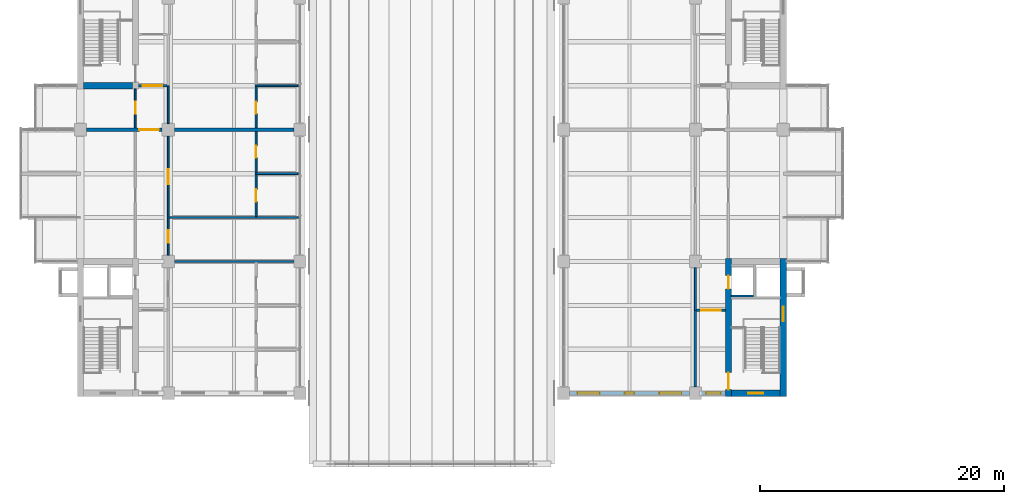
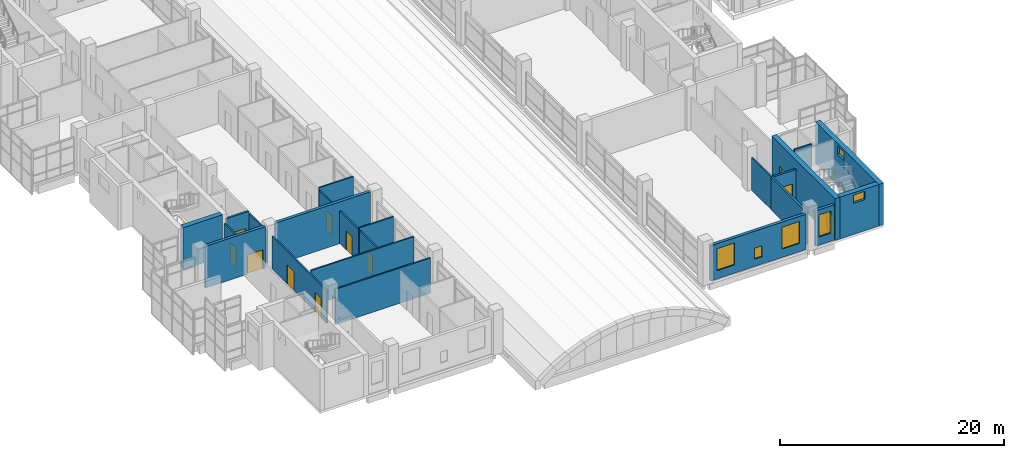
# One storey, part 31 of 45: 23 walls, 11 doors, 6 windows, 17 openings.
"""IFC4 building model written with IfcOpenShell, lengths in metres."""

from ifc_helpers import new_model, si_unit, direction, frame, frame_2d, origin, place, context, subcontext, project, spatial, rectangle, extrude, material, layer, layer_set, type_object, element, fill, save


model = new_model("IFC4")

# Units and contexts
model_context = context("Model", 3, precision=1e-05, world=origin(), true_north=direction((0.0, 1.0)))
body_context = subcontext(model_context, "Body", "Model", "MODEL_VIEW")
ifc_project = project(units=[si_unit("LENGTHUNIT", "METRE"), si_unit("AREAUNIT", "SQUARE_METRE"), si_unit("VOLUMEUNIT", "CUBIC_METRE"), si_unit("PLANEANGLEUNIT", "RADIAN"), si_unit("MASSUNIT", "GRAM", prefix="KILO")], contexts=[model_context])

# Site, building, storey
site_placement = place(None, origin())
site = spatial("IfcSite", under=ifc_project, at=site_placement, CompositionType="ELEMENT")
building_placement = place(site_placement, origin())
building = spatial("IfcBuilding", under=site, at=building_placement, Name="Basin Gate Institute", CompositionType="ELEMENT")
storey_placement = place(building_placement, frame((0.0, 0.0, 22.199951171875)))
storey = spatial("IfcBuildingStorey", under=building, at=storey_placement, Name="L04", CompositionType="ELEMENT", Elevation=22.199951171875)

# Wall, opening, door
ifc_material_1 = material(Name="Fire-rated masonry", Category="masonry")
ifc_layer_1 = layer(ifc_material_1, 0.199951171875)
ifc_layer_set_1 = layer_set([ifc_layer_1], Name="Enclosure wall PW2 200 EI 60")
wall_type_1 = type_object("IfcWallType", Name="Enclosure wall PW2 200 EI 60", PredefinedType="PARTITIONING", material=ifc_layer_set_1)
wall_1_placement = place(storey_placement, frame((65.949951171875, 60.300048828125, 0.0), z_axis=(0.0, 0.0, 1.0), x_axis=(1.0, 0.0, 0.0)))
wall_1 = element("IfcWall", 1, at=wall_1_placement, inside=storey, type_object=wall_type_1, material=ifc_layer_set_1, Name="Smoke lobby enclosure wall PW2 L04", PredefinedType="PARTITIONING", context=body_context, shape_type="SweptSolid", body=[
    extrude(rectangle(XDim=2.35009765625, YDim=0.199951171875, at=frame_2d((1.175048828125, 0.0))), origin(), (0.0, 0.0, 1.0), 3.85009765625),
])
opening_1_placement = place(wall_1_placement, frame((0.375, 0.0, 0.0)))
opening_1 = element("IfcOpeningElement", 2, at=opening_1_placement, cuts=wall_1, Name="Opening DR240", PredefinedType="OPENING", context=body_context, shape_type="SweptSolid", body=[
    extrude(rectangle(XDim=1.60009765625, YDim=2.10009765625, at=frame_2d((0.800048828125, 1.050048828125))), frame((0.0, 0.10986328125, 0.0), z_axis=(0.0, -1.0, 0.0), x_axis=(1.0, 0.0, 0.0)), (0.0, 0.0, 1.0), 0.219970703125),
])
ifc_material_2 = material(Name="Steel fire door", Category="steel")
door_type_1 = type_object("IfcDoorType", Name="FD60 Smoke lobby door pair D8", OperationType="DOUBLE_DOOR_SINGLE_SWING", PredefinedType="DOOR", material=ifc_material_2)
door_1_placement = place(opening_1_placement, origin())
door_1 = element("IfcDoor", 3, at=door_1_placement, inside=storey, type_object=door_type_1, material=ifc_material_2, Name="Smoke lobby door SS2 L04", OperationType="DOUBLE_DOOR_SINGLE_SWING", OverallHeight=2.10009765625, OverallWidth=1.60009765625, PredefinedType="DOOR", context=body_context, shape_type="SweptSolid", body=[
    extrude(rectangle(XDim=1.60009765625, YDim=2.10009765625, at=frame_2d((0.800048828125, 1.050048828125))), frame((0.0, 0.02490234375, 0.0), z_axis=(0.0, -1.0, 0.0), x_axis=(1.0, 0.0, 0.0)), (0.0, 0.0, 1.0), 0.050048828125),
])
fill(opening_1, door_1)

wall_2_placement = place(storey_placement, frame((114.050048828125, 41.89990234375, 0.0), z_axis=(0.0, 0.0, 1.0), x_axis=(-1.0, 0.0, 0.0)))
wall_2 = element("IfcWall", 4, at=wall_2_placement, inside=storey, type_object=wall_type_1, material=ifc_layer_set_1, Name="Smoke lobby enclosure wall PW2 L04", PredefinedType="PARTITIONING", context=body_context, shape_type="SweptSolid", body=[
    extrude(rectangle(XDim=2.35009765625, YDim=0.199951171875, at=frame_2d((1.175048828125, 0.0))), origin(), (0.0, 0.0, 1.0), 3.550048828125),
])
opening_2_placement = place(wall_2_placement, frame((0.375, 0.0, 0.0)))
opening_2 = element("IfcOpeningElement", 5, at=opening_2_placement, cuts=wall_2, Name="Opening DR206", PredefinedType="OPENING", context=body_context, shape_type="SweptSolid", body=[
    extrude(rectangle(XDim=1.60009765625, YDim=2.10009765625, at=frame_2d((0.800048828125, 1.050048828125))), frame((0.0, 0.10986328125, 0.0), z_axis=(0.0, -1.0, 0.0), x_axis=(1.0, 0.0, 0.0)), (0.0, 0.0, 1.0), 0.219970703125),
])
door_2_placement = place(opening_2_placement, origin())
door_2 = element("IfcDoor", 6, at=door_2_placement, inside=storey, type_object=door_type_1, material=ifc_material_2, Name="Smoke lobby door SS4 L04", OperationType="DOUBLE_DOOR_SINGLE_SWING", OverallHeight=2.10009765625, OverallWidth=1.60009765625, PredefinedType="DOOR", context=body_context, shape_type="SweptSolid", body=[
    extrude(rectangle(XDim=1.60009765625, YDim=2.10009765625, at=frame_2d((0.800048828125, 1.050048828125))), frame((0.0, 0.02490234375, 0.0), z_axis=(0.0, -1.0, 0.0), x_axis=(1.0, 0.0, 0.0)), (0.0, 0.0, 1.0), 0.050048828125),
])
fill(opening_2, door_2)

# Wall
wall_3_placement = place(storey_placement, frame((111.60009765625, 35.60009765625, 0.0), z_axis=(0.0, 0.0, 1.0), x_axis=(0.0, 1.0, 0.0)))
element("IfcWall", 7, at=wall_3_placement, inside=storey, type_object=wall_type_1, material=ifc_layer_set_1, Name="Smoke lobby enclosure wall PW2 L04", PredefinedType="PARTITIONING", context=body_context, shape_type="SweptSolid", body=[
    extrude(rectangle(XDim=6.2998046875, YDim=0.199951171875, at=frame_2d((3.14990234375, 0.0))), origin(), (0.0, 0.0, 1.0), 3.550048828125),
])

# Wall, opening, window
ifc_material_3 = material(Name="Aluminium-faced insulated panel wall", Category="aluminium")
ifc_layer_2 = layer(ifc_material_3, 0.300048828125)
ifc_layer_set_2 = layer_set([ifc_layer_2], Name="External wall EW1 EI 120")
wall_type_2 = type_object("IfcWallType", Name="External wall EW1 EI 120", PredefinedType="STANDARD", material=ifc_layer_set_2)
wall_4_placement = place(storey_placement, frame((114.050048828125, 35.10009765625, 0.0), z_axis=(0.0, 0.0, 1.0), x_axis=(-1.0, 0.0, 0.0)))
wall_4 = element("IfcWall", 8, at=wall_4_placement, inside=storey, type_object=wall_type_2, material=ifc_layer_set_2, Name="External end wall E wing south L04 1", PredefinedType="STANDARD", context=body_context, shape_type="SweptSolid", body=[
    extrude(rectangle(XDim=1.949951171875, YDim=0.300048828125, at=frame_2d((0.97509765625, 0.0))), origin(), (0.0, 0.0, 1.0), 3.85009765625),
])
opening_3_placement = place(wall_4_placement, frame((0.375, 0.0, 0.89990234375)))
opening_3 = element("IfcOpeningElement", 9, at=opening_3_placement, cuts=wall_4, Name="Opening WN4", PredefinedType="OPENING", context=body_context, shape_type="SweptSolid", body=[
    extrude(rectangle(XDim=1.199951171875, YDim=2.39990234375, at=frame_2d((0.60009765625, 1.199951171875))), frame((0.0, 0.16015625, 0.0), z_axis=(0.0, -1.0, 0.0), x_axis=(1.0, 0.0, 0.0)), (0.0, 0.0, 1.0), 0.320068359375),
])
ifc_material_4 = material(Name="Aluminium-framed double glazing", Category="aluminium")
window_type_1 = type_object("IfcWindowType", Name="Corridor end window WN4", PartitioningType="SINGLE_PANEL", PredefinedType="WINDOW", material=ifc_material_4)
window_1_placement = place(opening_3_placement, origin())
window_1 = element("IfcWindow", 10, at=window_1_placement, inside=storey, type_object=window_type_1, material=ifc_material_4, Name="Corridor end window E wing S L04", OverallHeight=2.39990234375, OverallWidth=1.199951171875, PartitioningType="SINGLE_PANEL", PredefinedType="WINDOW", context=body_context, shape_type="SweptSolid", body=[
    extrude(rectangle(XDim=1.199951171875, YDim=2.39990234375, at=frame_2d((0.60009765625, 1.199951171875))), frame((0.0, 0.030029296875, 0.0), z_axis=(0.0, -1.0, 0.0), x_axis=(1.0, 0.0, 0.0)), (0.0, 0.0, 1.0), 0.06005859375),
])
fill(opening_3, window_1)

# Wall, openings, windows
wall_5_placement = place(storey_placement, frame((111.10009765625, 35.10009765625, 0.0), z_axis=(0.0, 0.0, 1.0), x_axis=(-1.0, 0.0, 0.0)))
wall_5 = element("IfcWall", 11, at=wall_5_placement, inside=storey, type_object=wall_type_2, material=ifc_layer_set_2, Name="External end wall E wing south L04 2", PredefinedType="STANDARD", context=body_context, shape_type="SweptSolid", body=[
    extrude(rectangle(XDim=9.800048828125, YDim=0.300048828125, at=frame_2d((4.89990234375, 0.0))), origin(), (0.0, 0.0, 1.0), 3.85009765625),
])
opening_4_placement = place(wall_5_placement, frame((0.64990234375, 0.0, 0.89990234375)))
opening_4 = element("IfcOpeningElement", 12, at=opening_4_placement, cuts=wall_5, Name="Opening WN1", PredefinedType="OPENING", context=body_context, shape_type="SweptSolid", body=[
    extrude(rectangle(XDim=1.800048828125, YDim=2.39990234375, at=frame_2d((0.89990234375, 1.199951171875))), frame((0.0, 0.16015625, 0.0), z_axis=(0.0, -1.0, 0.0), x_axis=(1.0, 0.0, 0.0)), (0.0, 0.0, 1.0), 0.320068359375),
])
opening_5_placement = place(wall_5_placement, frame((4.52490234375, 0.0, 0.800048828125)))
opening_5 = element("IfcOpeningElement", 13, at=opening_5_placement, cuts=wall_5, Name="Opening WN3", PredefinedType="OPENING", context=body_context, shape_type="SweptSolid", body=[
    extrude(rectangle(XDim=0.75, YDim=1.199951171875, at=frame_2d((0.375, 0.60009765625))), frame((0.0, 0.16015625, 0.0), z_axis=(0.0, -1.0, 0.0), x_axis=(1.0, 0.0, 0.0)), (0.0, 0.0, 1.0), 0.320068359375),
])
opening_6_placement = place(wall_5_placement, frame((7.35009765625, 0.0, 0.89990234375)))
opening_6 = element("IfcOpeningElement", 14, at=opening_6_placement, cuts=wall_5, Name="Opening WN1", PredefinedType="OPENING", context=body_context, shape_type="SweptSolid", body=[
    extrude(rectangle(XDim=1.800048828125, YDim=2.39990234375, at=frame_2d((0.89990234375, 1.199951171875))), frame((0.0, 0.16015625, 0.0), z_axis=(0.0, -1.0, 0.0), x_axis=(1.0, 0.0, 0.0)), (0.0, 0.0, 1.0), 0.320068359375),
])
ifc_material_5 = material(Name="Aluminium-framed double glazing", Category="aluminium")
window_type_2 = type_object("IfcWindowType", Name="Emergency entry panel WN3", PartitioningType="SINGLE_PANEL", PredefinedType="WINDOW", material=ifc_material_5)
window_2_placement = place(opening_5_placement, origin())
window_2 = element("IfcWindow", 15, at=window_2_placement, inside=storey, type_object=window_type_2, material=ifc_material_5, Name="Emergency entry panel E wing end S L04 bay 2", OverallHeight=1.199951171875, OverallWidth=0.75, PartitioningType="SINGLE_PANEL", PredefinedType="WINDOW", context=body_context, shape_type="SweptSolid", body=[
    extrude(rectangle(XDim=0.75, YDim=1.199951171875, at=frame_2d((0.375, 0.60009765625))), frame((0.0, 0.030029296875, 0.0), z_axis=(0.0, -1.0, 0.0), x_axis=(1.0, 0.0, 0.0)), (0.0, 0.0, 1.0), 0.06005859375),
])
fill(opening_5, window_2)
ifc_material_6 = material(Name="Aluminium-framed double glazing", Category="aluminium")
window_type_3 = type_object("IfcWindowType", Name="Facade window WN1", PartitioningType="SINGLE_PANEL", PredefinedType="WINDOW", material=ifc_material_6)
window_3_placement = place(opening_4_placement, origin())
window_3 = element("IfcWindow", 16, at=window_3_placement, inside=storey, type_object=window_type_3, material=ifc_material_6, Name="Facade window E wing end S L04 bay 1", OverallHeight=2.39990234375, OverallWidth=1.800048828125, PartitioningType="SINGLE_PANEL", PredefinedType="WINDOW", context=body_context, shape_type="SweptSolid", body=[
    extrude(rectangle(XDim=1.800048828125, YDim=2.39990234375, at=frame_2d((0.89990234375, 1.199951171875))), frame((0.0, 0.030029296875, 0.0), z_axis=(0.0, -1.0, 0.0), x_axis=(1.0, 0.0, 0.0)), (0.0, 0.0, 1.0), 0.06005859375),
])
fill(opening_4, window_3)
window_4_placement = place(opening_6_placement, origin())
window_4 = element("IfcWindow", 17, at=window_4_placement, inside=storey, type_object=window_type_3, material=ifc_material_6, Name="Facade window E wing end S L04 bay 3", OverallHeight=2.39990234375, OverallWidth=1.800048828125, PartitioningType="SINGLE_PANEL", PredefinedType="WINDOW", context=body_context, shape_type="SweptSolid", body=[
    extrude(rectangle(XDim=1.800048828125, YDim=2.39990234375, at=frame_2d((0.89990234375, 1.199951171875))), frame((0.0, 0.030029296875, 0.0), z_axis=(0.0, -1.0, 0.0), x_axis=(1.0, 0.0, 0.0)), (0.0, 0.0, 1.0), 0.06005859375),
])
fill(opening_6, window_4)

# Wall, opening, door
ifc_material_7 = material(Name="Gypsum board on steel stud", Category="steel")
ifc_layer_3 = layer(ifc_material_7, 0.14990234375)
ifc_layer_set_3 = layer_set([ifc_layer_3], Name="Gypsum board on steel stud")
wall_type_3 = type_object("IfcWallType", Name="Partition PW1 150 EI 60", PredefinedType="PARTITIONING", material=ifc_layer_set_3)
wall_6_placement = place(storey_placement, frame((65.699951171875, 56.85009765625, 0.0), z_axis=(0.0, 0.0, 1.0), x_axis=(0.0, 1.0, 0.0)))
wall_6 = element("IfcWall", 18, at=wall_6_placement, inside=storey, type_object=wall_type_3, material=ifc_layer_set_3, Name="Corridor wall PW1 L04", PredefinedType="PARTITIONING", context=body_context, shape_type="SweptSolid", body=[
    extrude(rectangle(XDim=3.199951171875, YDim=0.14990234375, at=frame_2d((1.60009765625, 0.0))), origin(), (0.0, 0.0, 1.0), 3.550048828125),
])
opening_7_placement = place(wall_6_placement, frame((1.14990234375, 0.0, 0.0)))
opening_7 = element("IfcOpeningElement", 19, at=opening_7_placement, cuts=wall_6, Name="Opening DR218", PredefinedType="OPENING", context=body_context, shape_type="SweptSolid", body=[
    extrude(rectangle(XDim=1.0, YDim=2.10009765625, at=frame_2d((0.5, 1.050048828125))), frame((0.0, 0.0849609375, 0.0), z_axis=(0.0, -1.0, 0.0), x_axis=(1.0, 0.0, 0.0)), (0.0, 0.0, 1.0), 0.169921875),
])
ifc_material_8 = material(Name="Timber fire door", Category="wood")
door_type_2 = type_object("IfcDoorType", Name="FD30 Office door D1", OperationType="NOTDEFINED", PredefinedType="DOOR", material=ifc_material_8)
door_3_placement = place(opening_7_placement, origin())
door_3 = element("IfcDoor", 20, at=door_3_placement, inside=storey, type_object=door_type_2, material=ifc_material_8, Name="Door to Meeting Room 0402 L04", OperationType="SINGLE_SWING_RIGHT", OverallHeight=2.10009765625, OverallWidth=1.0, PredefinedType="DOOR", context=body_context, shape_type="SweptSolid", body=[
    extrude(rectangle(XDim=1.0, YDim=2.10009765625, at=frame_2d((0.5, 1.050048828125))), frame((0.0, 0.02490234375, 0.0), z_axis=(0.0, -1.0, 0.0), x_axis=(1.0, 0.0, 0.0)), (0.0, 0.0, 1.0), 0.050048828125),
])
fill(opening_7, door_3)

# Wall, openings, doors
wall_7_placement = place(storey_placement, frame((68.39990234375, 46.39990234375, 0.0), z_axis=(0.0, 0.0, 1.0), x_axis=(0.0, 1.0, 0.0)))
wall_7 = element("IfcWall", 21, at=wall_7_placement, inside=storey, type_object=wall_type_3, material=ifc_layer_set_3, Name="Laboratory corridor wall PW1 L04", PredefinedType="PARTITIONING", context=body_context, shape_type="SweptSolid", body=[
    extrude(rectangle(XDim=9.800048828125, YDim=0.14990234375, at=frame_2d((4.89990234375, 0.0))), origin(), (0.0, 0.0, 1.0), 3.550048828125),
])
opening_8_placement = place(wall_7_placement, frame((1.050048828125, 0.0, 0.0)))
opening_8 = element("IfcOpeningElement", 22, at=opening_8_placement, cuts=wall_7, Name="Opening DR213", PredefinedType="OPENING", context=body_context, shape_type="SweptSolid", body=[
    extrude(rectangle(XDim=1.0, YDim=2.10009765625, at=frame_2d((0.5, 1.050048828125))), frame((0.0, 0.0849609375, 0.0), z_axis=(0.0, -1.0, 0.0), x_axis=(1.0, 0.0, 0.0)), (0.0, 0.0, 1.0), 0.169921875),
])
opening_9_placement = place(wall_7_placement, frame((5.85009765625, 0.0, 0.0)))
opening_9 = element("IfcOpeningElement", 23, at=opening_9_placement, cuts=wall_7, Name="Opening DR221", PredefinedType="OPENING", context=body_context, shape_type="SweptSolid", body=[
    extrude(rectangle(XDim=1.199951171875, YDim=2.10009765625, at=frame_2d((0.60009765625, 1.050048828125))), frame((0.0, 0.0849609375, 0.0), z_axis=(0.0, -1.0, 0.0), x_axis=(1.0, 0.0, 0.0)), (0.0, 0.0, 1.0), 0.169921875),
])
ifc_material_9 = material(Name="Timber fire door", Category="wood")
door_type_3 = type_object("IfcDoorType", Name="FD30 Laboratory door D2", OperationType="DOUBLE_DOOR_SINGLE_SWING", PredefinedType="DOOR", material=ifc_material_9)
door_4_placement = place(opening_9_placement, frame((1.199951171875, 0.0, 0.0), z_axis=(0.0, 0.0, 1.0), x_axis=(-1.0, 0.0, 0.0)))
door_4 = element("IfcDoor", 24, at=door_4_placement, inside=storey, type_object=door_type_3, material=ifc_material_9, Name="Door to Wet Laboratory 0419 L04", OperationType="DOUBLE_DOOR_SINGLE_SWING", OverallHeight=2.10009765625, OverallWidth=1.199951171875, PredefinedType="DOOR", context=body_context, shape_type="SweptSolid", body=[
    extrude(rectangle(XDim=1.199951171875, YDim=2.10009765625, at=frame_2d((0.60009765625, 1.050048828125))), frame((0.0, 0.02490234375, 0.0), z_axis=(0.0, -1.0, 0.0), x_axis=(1.0, 0.0, 0.0)), (0.0, 0.0, 1.0), 0.050048828125),
])
fill(opening_9, door_4)
ifc_material_10 = material(Name="Steel fire door", Category="steel")
door_type_4 = type_object("IfcDoorType", Name="FD30 Store door D4", OperationType="NOTDEFINED", PredefinedType="DOOR", material=ifc_material_10)
door_5_placement = place(opening_8_placement, frame((1.0, 0.0, 0.0), z_axis=(0.0, 0.0, 1.0), x_axis=(-1.0, 0.0, 0.0)))
door_5 = element("IfcDoor", 25, at=door_5_placement, inside=storey, type_object=door_type_4, material=ifc_material_10, Name="Door to Chemical Store 0418 L04", OperationType="SINGLE_SWING_LEFT", OverallHeight=2.10009765625, OverallWidth=1.0, PredefinedType="DOOR", context=body_context, shape_type="SweptSolid", body=[
    extrude(rectangle(XDim=1.0, YDim=2.10009765625, at=frame_2d((0.5, 1.050048828125))), frame((0.0, 0.02490234375, 0.0), z_axis=(0.0, -1.0, 0.0), x_axis=(1.0, 0.0, 0.0)), (0.0, 0.0, 1.0), 0.050048828125),
])
fill(opening_8, door_5)

# Wall
wall_8_placement = place(storey_placement, frame((68.39990234375, 57.199951171875, 0.0), z_axis=(0.0, 0.0, 1.0), x_axis=(0.0, 1.0, 0.0)))
element("IfcWall", 26, at=wall_8_placement, inside=storey, type_object=wall_type_3, material=ifc_layer_set_3, Name="Laboratory corridor wall PW1 L04", PredefinedType="PARTITIONING", context=body_context, shape_type="SweptSolid", body=[
    extrude(rectangle(XDim=3.10009765625, YDim=0.14990234375, at=frame_2d((1.550048828125, 0.0))), origin(), (0.0, 0.0, 1.0), 3.550048828125),
])

# Wall, opening, door
wall_9_placement = place(storey_placement, frame((75.60009765625, 49.574951171875, 0.0), z_axis=(0.0, 0.0, 1.0), x_axis=(0.0, 1.0, 0.0)))
wall_9 = element("IfcWall", 27, at=wall_9_placement, inside=storey, type_object=wall_type_3, material=ifc_layer_set_3, Name="Laboratory partition PW1 L04", PredefinedType="PARTITIONING", context=body_context, shape_type="SweptSolid", body=[
    extrude(rectangle(XDim=3.449951171875, YDim=0.14990234375, at=frame_2d((1.72509765625, 0.0))), origin(), (0.0, 0.0, 1.0), 3.550048828125),
])
opening_10_placement = place(wall_9_placement, frame((1.22509765625, 0.0, 0.0)))
opening_10 = element("IfcOpeningElement", 28, at=opening_10_placement, cuts=wall_9, Name="Opening DR228", PredefinedType="OPENING", context=body_context, shape_type="SweptSolid", body=[
    extrude(rectangle(XDim=1.0, YDim=2.10009765625, at=frame_2d((0.5, 1.050048828125))), frame((0.0, 0.0849609375, 0.0), z_axis=(0.0, -1.0, 0.0), x_axis=(1.0, 0.0, 0.0)), (0.0, 0.0, 1.0), 0.169921875),
])
door_6_placement = place(opening_10_placement, origin())
door_6 = element("IfcDoor", 29, at=door_6_placement, inside=storey, type_object=door_type_2, material=ifc_material_8, Name="Door to Write-up Cell 0420 L04", OperationType="SINGLE_SWING_LEFT", OverallHeight=2.10009765625, OverallWidth=1.0, PredefinedType="DOOR", context=body_context, shape_type="SweptSolid", body=[
    extrude(rectangle(XDim=1.0, YDim=2.10009765625, at=frame_2d((0.5, 1.050048828125))), frame((0.0, 0.02490234375, 0.0), z_axis=(0.0, -1.0, 0.0), x_axis=(1.0, 0.0, 0.0)), (0.0, 0.0, 1.0), 0.050048828125),
])
fill(opening_10, door_6)

wall_10_placement = place(storey_placement, frame((75.60009765625, 53.175048828125, 0.0), z_axis=(0.0, 0.0, 1.0), x_axis=(0.0, 1.0, 0.0)))
wall_10 = element("IfcWall", 30, at=wall_10_placement, inside=storey, type_object=wall_type_3, material=ifc_layer_set_3, Name="Laboratory partition PW1 L04", PredefinedType="PARTITIONING", context=body_context, shape_type="SweptSolid", body=[
    extrude(rectangle(XDim=3.375, YDim=0.14990234375, at=frame_2d((1.6875, 0.0))), origin(), (0.0, 0.0, 1.0), 3.550048828125),
])
opening_11_placement = place(wall_10_placement, frame((1.22509765625, 0.0, 0.0)))
opening_11 = element("IfcOpeningElement", 31, at=opening_11_placement, cuts=wall_10, Name="Opening DR229", PredefinedType="OPENING", context=body_context, shape_type="SweptSolid", body=[
    extrude(rectangle(XDim=1.0, YDim=2.10009765625, at=frame_2d((0.5, 1.050048828125))), frame((0.0, 0.0849609375, 0.0), z_axis=(0.0, -1.0, 0.0), x_axis=(1.0, 0.0, 0.0)), (0.0, 0.0, 1.0), 0.169921875),
])
door_7_placement = place(opening_11_placement, origin())
door_7 = element("IfcDoor", 32, at=door_7_placement, inside=storey, type_object=door_type_2, material=ifc_material_8, Name="Door to Write-up Cell 0421 L04", OperationType="SINGLE_SWING_RIGHT", OverallHeight=2.10009765625, OverallWidth=1.0, PredefinedType="DOOR", context=body_context, shape_type="SweptSolid", body=[
    extrude(rectangle(XDim=1.0, YDim=2.10009765625, at=frame_2d((0.5, 1.050048828125))), frame((0.0, 0.02490234375, 0.0), z_axis=(0.0, -1.0, 0.0), x_axis=(1.0, 0.0, 0.0)), (0.0, 0.0, 1.0), 0.050048828125),
])
fill(opening_11, door_7)

# Wall
wall_11_placement = place(storey_placement, frame((75.52490234375, 53.10009765625, 0.0), z_axis=(0.0, 0.0, 1.0), x_axis=(1.0, 0.0, 0.0)))
element("IfcWall", 33, at=wall_11_placement, inside=storey, type_object=wall_type_3, material=ifc_layer_set_3, Name="Laboratory partition PW1 L04", PredefinedType="PARTITIONING", context=body_context, shape_type="SweptSolid", body=[
    extrude(rectangle(XDim=3.525146484375, YDim=0.14990234375, at=frame_2d((1.7626953125, 0.0))), origin(), (0.0, 0.0, 1.0), 3.85009765625),
])

# Wall, opening, door
wall_12_placement = place(storey_placement, frame((75.60009765625, 56.85009765625, 0.0), z_axis=(0.0, 0.0, 1.0), x_axis=(0.0, 1.0, 0.0)))
wall_12 = element("IfcWall", 34, at=wall_12_placement, inside=storey, type_object=wall_type_3, material=ifc_layer_set_3, Name="Laboratory partition PW1 L04", PredefinedType="PARTITIONING", context=body_context, shape_type="SweptSolid", body=[
    extrude(rectangle(XDim=3.375, YDim=0.14990234375, at=frame_2d((1.6875, 0.0))), origin(), (0.0, 0.0, 1.0), 3.550048828125),
])
opening_12_placement = place(wall_12_placement, frame((1.14990234375, 0.0, 0.0)))
opening_12 = element("IfcOpeningElement", 35, at=opening_12_placement, cuts=wall_12, Name="Opening DR230", PredefinedType="OPENING", context=body_context, shape_type="SweptSolid", body=[
    extrude(rectangle(XDim=1.0, YDim=2.10009765625, at=frame_2d((0.5, 1.050048828125))), frame((0.0, 0.0849609375, 0.0), z_axis=(0.0, -1.0, 0.0), x_axis=(1.0, 0.0, 0.0)), (0.0, 0.0, 1.0), 0.169921875),
])
door_8_placement = place(opening_12_placement, origin())
door_8 = element("IfcDoor", 36, at=door_8_placement, inside=storey, type_object=door_type_2, material=ifc_material_8, Name="Door to Write-up Cell 0423 L04", OperationType="SINGLE_SWING_LEFT", OverallHeight=2.10009765625, OverallWidth=1.0, PredefinedType="DOOR", context=body_context, shape_type="SweptSolid", body=[
    extrude(rectangle(XDim=1.0, YDim=2.10009765625, at=frame_2d((0.5, 1.050048828125))), frame((0.0, 0.02490234375, 0.0), z_axis=(0.0, -1.0, 0.0), x_axis=(1.0, 0.0, 0.0)), (0.0, 0.0, 1.0), 0.050048828125),
])
fill(opening_12, door_8)

# Walls
wall_13_placement = place(storey_placement, frame((75.52490234375, 60.300048828125, 0.0), z_axis=(0.0, 0.0, 1.0), x_axis=(1.0, 0.0, 0.0)))
element("IfcWall", 37, at=wall_13_placement, inside=storey, type_object=wall_type_3, material=ifc_layer_set_3, Name="Laboratory partition PW1 L04", PredefinedType="PARTITIONING", context=body_context, shape_type="SweptSolid", body=[
    extrude(rectangle(XDim=3.525146484375, YDim=0.14990234375, at=frame_2d((1.7626953125, 0.0))), origin(), (0.0, 0.0, 1.0), 3.85009765625),
])
wall_14_placement = place(storey_placement, frame((68.89990234375, 45.89990234375, 0.0), z_axis=(0.0, 0.0, 1.0), x_axis=(1.0, 0.0, 0.0)))
element("IfcWall", 38, at=wall_14_placement, inside=storey, type_object=wall_type_3, material=ifc_layer_set_3, Name="Laboratory partition PW1 L04", PredefinedType="PARTITIONING", context=body_context, shape_type="SweptSolid", body=[
    extrude(rectangle(XDim=9.800048828125, YDim=0.14990234375, at=frame_2d((4.89990234375, 0.0))), origin(), (0.0, 0.0, 1.0), 3.85009765625),
])
wall_15_placement = place(storey_placement, frame((68.47509765625, 49.5, 0.0), z_axis=(0.0, 0.0, 1.0), x_axis=(1.0, 0.0, 0.0)))
element("IfcWall", 39, at=wall_15_placement, inside=storey, type_object=wall_type_3, material=ifc_layer_set_3, Name="Laboratory partition PW1 L04", PredefinedType="PARTITIONING", context=body_context, shape_type="SweptSolid", body=[
    extrude(rectangle(XDim=10.574951171875, YDim=0.14990234375, at=frame_2d((5.28759765625, 0.0))), origin(), (0.0, 0.0, 1.0), 3.85009765625),
])
wall_16_placement = place(storey_placement, frame((111.60009765625, 41.89990234375, 0.0), z_axis=(0.0, 0.0, 1.0), x_axis=(0.0, 1.0, 0.0)))
element("IfcWall", 40, at=wall_16_placement, inside=storey, type_object=wall_type_3, material=ifc_layer_set_3, Name="Laboratory corridor wall PW1 L04", PredefinedType="PARTITIONING", context=body_context, shape_type="SweptSolid", body=[
    extrude(rectangle(XDim=3.5, YDim=0.14990234375, at=frame_2d((1.75, 0.0))), origin(), (0.0, 0.0, 1.0), 3.550048828125),
])
ifc_material_11 = material(Name="Concrete 40 MPa", Category="concrete")
ifc_layer_4 = layer(ifc_material_11, 0.14990234375)
ifc_layer_set_4 = layer_set([ifc_layer_4], Name="Concrete 40 MPa")
wall_type_4 = type_object("IfcWallType", Name="Wall LS1 lift shaft enclosure R120", PredefinedType="SOLIDWALL", material=ifc_layer_set_4)
wall_17_placement = place(storey_placement, frame((116.35009765625, 43.074951171875, 0.0), z_axis=(0.0, 0.0, 1.0), x_axis=(-1.0, 0.0, 0.0)))
element("IfcWall", 41, at=wall_17_placement, inside=storey, type_object=wall_type_4, material=ifc_layer_set_4, Name="Lift shaft enclosure LP4 L04 RL", PredefinedType="SOLIDWALL", context=body_context, shape_type="SweptSolid", body=[
    extrude(rectangle(XDim=1.800048828125, YDim=0.14990234375, at=frame_2d((0.89990234375, 0.0))), origin(), (0.0, 0.0, 1.0), 4.800048828125),
])
ifc_material_12 = material(Name="Concrete 60 MPa", Category="concrete")
ifc_layer_5 = layer(ifc_material_12, 0.5)
ifc_layer_set_5 = layer_set([ifc_layer_5], Name="Concrete 60 MPa")
wall_type_5 = type_object("IfcWallType", Name="Wall SW1 R120", PredefinedType="SHEAR", material=ifc_layer_set_5)
wall_18_placement = place(storey_placement, frame((61.449951171875, 60.300048828125, 0.0), z_axis=(0.0, 0.0, 1.0), x_axis=(1.0, 0.0, 0.0)))
element("IfcWall", 42, at=wall_18_placement, inside=storey, type_object=wall_type_5, material=ifc_layer_set_5, Name="WALL/L04/WM/S", PredefinedType="SHEAR", context=body_context, shape_type="SweptSolid", body=[
    extrude(rectangle(XDim=4.0, YDim=0.5, at=frame_2d((2.0, 0.0))), origin(), (0.0, 0.0, 1.0), 4.550048828125),
])

# Wall, opening, window
wall_19_placement = place(storey_placement, frame((118.800048828125, 34.85009765625, 0.0), z_axis=(0.0, 0.0, 1.0), x_axis=(0.0, 1.0, 0.0)))
wall_19 = element("IfcWall", 43, at=wall_19_placement, inside=storey, type_object=wall_type_5, material=ifc_layer_set_5, Name="WALL/L04/ES/L", PredefinedType="SHEAR", context=body_context, shape_type="SweptSolid", body=[
    extrude(rectangle(XDim=11.2998046875, YDim=0.5, at=frame_2d((5.64990234375, 0.0))), origin(), (0.0, 0.0, 1.0), 4.550048828125),
])
opening_13_placement = place(wall_19_placement, frame((6.159912109375, 0.0, 3.39990234375)))
opening_13 = element("IfcOpeningElement", 44, at=opening_13_placement, cuts=wall_19, Name="Opening WT2", PredefinedType="OPENING", context=body_context, shape_type="SweptSolid", body=[
    extrude(rectangle(XDim=1.199951171875, YDim=0.89990234375, at=frame_2d((0.60009765625, 0.449951171875))), frame((0.0, 0.260009765625, 0.0), z_axis=(0.0, -1.0, 0.0), x_axis=(1.0, 0.0, 0.0)), (0.0, 0.0, 1.0), 0.52001953125),
])
ifc_material_13 = material(Name="Fire-resistant glazing in steel-free frame", Category="steel")
window_type_4 = type_object("IfcWindowType", Name="Rated stair window EI 120 WT2", PartitioningType="SINGLE_PANEL", PredefinedType="WINDOW", material=ifc_material_13)
window_5_placement = place(opening_13_placement, origin())
window_5 = element("IfcWindow", 45, at=window_5_placement, inside=storey, type_object=window_type_4, material=ifc_material_13, Name="Rated stair window EI 120 ES landing L04", OverallHeight=0.89990234375, OverallWidth=1.199951171875, PartitioningType="SINGLE_PANEL", PredefinedType="WINDOW", context=body_context, shape_type="SweptSolid", body=[
    extrude(rectangle(XDim=1.199951171875, YDim=0.89990234375, at=frame_2d((0.60009765625, 0.449951171875))), frame((0.0, 0.030029296875, 0.0), z_axis=(0.0, -1.0, 0.0), x_axis=(1.0, 0.0, 0.0)), (0.0, 0.0, 1.0), 0.06005859375),
])
fill(opening_13, window_5)

# Wall, openings, doors
wall_20_placement = place(storey_placement, frame((114.300048828125, 34.85009765625, 0.0), z_axis=(0.0, 0.0, 1.0), x_axis=(0.0, 1.0, 0.0)))
wall_20 = element("IfcWall", 46, at=wall_20_placement, inside=storey, type_object=wall_type_5, material=ifc_layer_set_5, Name="WALL/L04/ES/C", PredefinedType="SHEAR", context=body_context, shape_type="SweptSolid", body=[
    extrude(rectangle(XDim=11.2998046875, YDim=0.5, at=frame_2d((5.64990234375, 0.0))), origin(), (0.0, 0.0, 1.0), 4.550048828125),
])
opening_14_placement = place(wall_20_placement, frame((0.550048828125, 0.0, 0.0)))
opening_14 = element("IfcOpeningElement", 47, at=opening_14_placement, cuts=wall_20, Name="Opening DS028", PredefinedType="OPENING", context=body_context, shape_type="SweptSolid", body=[
    extrude(rectangle(XDim=1.39990234375, YDim=2.10009765625, at=frame_2d((0.699951171875, 1.050048828125))), frame((0.0, 0.260009765625, 0.0), z_axis=(0.0, -1.0, 0.0), x_axis=(1.0, 0.0, 0.0)), (0.0, 0.0, 1.0), 0.52001953125),
])
opening_15_placement = place(wall_20_placement, frame((8.800048828125, 0.0, 0.0)))
opening_15 = element("IfcOpeningElement", 48, at=opening_15_placement, cuts=wall_20, Name="Opening LD076", PredefinedType="OPENING", context=body_context, shape_type="SweptSolid", body=[
    extrude(rectangle(XDim=1.10009765625, YDim=2.10009765625, at=frame_2d((0.550048828125, 1.050048828125))), frame((0.0, 0.260009765625, 0.0), z_axis=(0.0, -1.0, 0.0), x_axis=(1.0, 0.0, 0.0)), (0.0, 0.0, 1.0), 0.52001953125),
])
ifc_material_14 = material(Name="Steel fire door", Category="steel")
door_type_5 = type_object("IfcDoorType", Name="FD30 Stair enclosure door DS", OperationType="DOUBLE_DOOR_SINGLE_SWING", PredefinedType="DOOR", material=ifc_material_14)
door_9_placement = place(opening_14_placement, frame((1.39990234375, 0.0, 0.0), z_axis=(0.0, 0.0, 1.0), x_axis=(-1.0, 0.0, 0.0)))
door_9 = element("IfcDoor", 49, at=door_9_placement, inside=storey, type_object=door_type_5, material=ifc_material_14, Name="Stair enclosure door ST-ES L04", OperationType="DOUBLE_DOOR_SINGLE_SWING", OverallHeight=2.10009765625, OverallWidth=1.39990234375, PredefinedType="DOOR", context=body_context, shape_type="SweptSolid", body=[
    extrude(rectangle(XDim=1.39990234375, YDim=2.10009765625, at=frame_2d((0.699951171875, 1.050048828125))), frame((0.0, 0.02490234375, 0.0), z_axis=(0.0, -1.0, 0.0), x_axis=(1.0, 0.0, 0.0)), (0.0, 0.0, 1.0), 0.050048828125),
])
fill(opening_14, door_9)
ifc_material_15 = material(Name="Stainless steel", Category="steel")
door_type_6 = type_object("IfcDoorType", Name="FD60 Lift landing door LD", OperationType="SLIDING_TO_LEFT", PredefinedType="DOOR", material=ifc_material_15)
door_10_placement = place(opening_15_placement, origin())
door_10 = element("IfcDoor", 50, at=door_10_placement, inside=storey, type_object=door_type_6, material=ifc_material_15, Name="Lift landing door LP4 L04", OperationType="SLIDING_TO_LEFT", OverallHeight=2.10009765625, OverallWidth=1.10009765625, PredefinedType="DOOR", context=body_context, shape_type="SweptSolid", body=[
    extrude(rectangle(XDim=1.10009765625, YDim=2.10009765625, at=frame_2d((0.550048828125, 1.050048828125))), frame((0.0, 0.02490234375, 0.0), z_axis=(0.0, -1.0, 0.0), x_axis=(1.0, 0.0, 0.0)), (0.0, 0.0, 1.0), 0.050048828125),
])
fill(opening_15, door_10)

# Wall, opening, window
wall_21_placement = place(storey_placement, frame((118.550048828125, 35.10009765625, 0.0), z_axis=(0.0, 0.0, 1.0), x_axis=(-1.0, 0.0, 0.0)))
wall_21 = element("IfcWall", 51, at=wall_21_placement, inside=storey, type_object=wall_type_5, material=ifc_layer_set_5, Name="WALL/L04/ES/S", PredefinedType="SHEAR", context=body_context, shape_type="SweptSolid", body=[
    extrude(rectangle(XDim=4.0, YDim=0.5, at=frame_2d((2.0, 0.0))), origin(), (0.0, 0.0, 1.0), 4.550048828125),
])
opening_16_placement = place(wall_21_placement, frame((1.39990234375, 0.0, 3.39990234375)))
opening_16 = element("IfcOpeningElement", 52, at=opening_16_placement, cuts=wall_21, Name="Opening WT2", PredefinedType="OPENING", context=body_context, shape_type="SweptSolid", body=[
    extrude(rectangle(XDim=1.199951171875, YDim=0.89990234375, at=frame_2d((0.60009765625, 0.449951171875))), frame((0.0, 0.260009765625, 0.0), z_axis=(0.0, -1.0, 0.0), x_axis=(1.0, 0.0, 0.0)), (0.0, 0.0, 1.0), 0.52001953125),
])
window_6_placement = place(opening_16_placement, origin())
window_6 = element("IfcWindow", 53, at=window_6_placement, inside=storey, type_object=window_type_4, material=ifc_material_13, Name="Rated stair window EI 120 ES end L04", OverallHeight=0.89990234375, OverallWidth=1.199951171875, PartitioningType="SINGLE_PANEL", PredefinedType="WINDOW", context=body_context, shape_type="SweptSolid", body=[
    extrude(rectangle(XDim=1.199951171875, YDim=0.89990234375, at=frame_2d((0.60009765625, 0.449951171875))), frame((0.0, 0.030029296875, 0.0), z_axis=(0.0, -1.0, 0.0), x_axis=(1.0, 0.0, 0.0)), (0.0, 0.0, 1.0), 0.06005859375),
])
fill(opening_16, window_6)

# Wall, opening, door
ifc_material_16 = material(Name="Concrete 50 MPa", Category="concrete")
ifc_layer_6 = layer(ifc_material_16, 0.300048828125)
ifc_layer_set_6 = layer_set([ifc_layer_6], Name="Concrete 50 MPa")
wall_type_6 = type_object("IfcWallType", Name="Wall XW1 R120", PredefinedType="SHEAR", material=ifc_layer_set_6)
wall_22_placement = place(storey_placement, frame((61.699951171875, 56.699951171875, 0.0), z_axis=(0.0, 0.0, 1.0), x_axis=(1.0, 0.0, 0.0)))
wall_22 = element("IfcWall", 54, at=wall_22_placement, inside=storey, type_object=wall_type_6, material=ifc_layer_set_6, Name="WALL/L04/WXC/1", PredefinedType="SHEAR", context=body_context, shape_type="SweptSolid", body=[
    extrude(rectangle(XDim=6.199951171875, YDim=0.300048828125, at=frame_2d((3.10009765625, 0.0))), origin(), (0.0, 0.0, 1.0), 4.550048828125),
])
opening_17_placement = place(wall_22_placement, frame((4.33740234375, 0.0, 0.0)))
opening_17 = element("IfcOpeningElement", 55, at=opening_17_placement, cuts=wall_22, Name="Opening DR243", PredefinedType="OPENING", context=body_context, shape_type="SweptSolid", body=[
    extrude(rectangle(XDim=1.60009765625, YDim=2.10009765625, at=frame_2d((0.800048828125, 1.050048828125))), frame((0.0, 0.16015625, 0.0), z_axis=(0.0, -1.0, 0.0), x_axis=(1.0, 0.0, 0.0)), (0.0, 0.0, 1.0), 0.320068359375),
])
ifc_material_17 = material(Name="Steel fire door", Category="steel")
door_type_7 = type_object("IfcDoorType", Name="FD60 Compartment door pair D7", OperationType="DOUBLE_DOOR_SINGLE_SWING", PredefinedType="DOOR", material=ifc_material_17)
door_11_placement = place(opening_17_placement, origin())
door_11 = element("IfcDoor", 56, at=door_11_placement, inside=storey, type_object=door_type_7, material=ifc_material_17, Name="Compartment door pair L04 W1 L04", OperationType="DOUBLE_DOOR_SINGLE_SWING", OverallHeight=2.10009765625, OverallWidth=1.60009765625, PredefinedType="DOOR", context=body_context, shape_type="SweptSolid", body=[
    extrude(rectangle(XDim=1.60009765625, YDim=2.10009765625, at=frame_2d((0.800048828125, 1.050048828125))), frame((0.0, 0.02490234375, 0.0), z_axis=(0.0, -1.0, 0.0), x_axis=(1.0, 0.0, 0.0)), (0.0, 0.0, 1.0), 0.050048828125),
])
fill(opening_17, door_11)

# Wall
wall_23_placement = place(storey_placement, frame((68.89990234375, 56.699951171875, 0.0), z_axis=(0.0, 0.0, 1.0), x_axis=(1.0, 0.0, 0.0)))
element("IfcWall", 57, at=wall_23_placement, inside=storey, type_object=wall_type_6, material=ifc_layer_set_6, Name="WALL/L04/WXC/2", PredefinedType="SHEAR", context=body_context, shape_type="SweptSolid", body=[
    extrude(rectangle(XDim=9.800048828125, YDim=0.300048828125, at=frame_2d((4.89990234375, 0.0))), origin(), (0.0, 0.0, 1.0), 4.550048828125),
])

save(model, "model.ifc")
